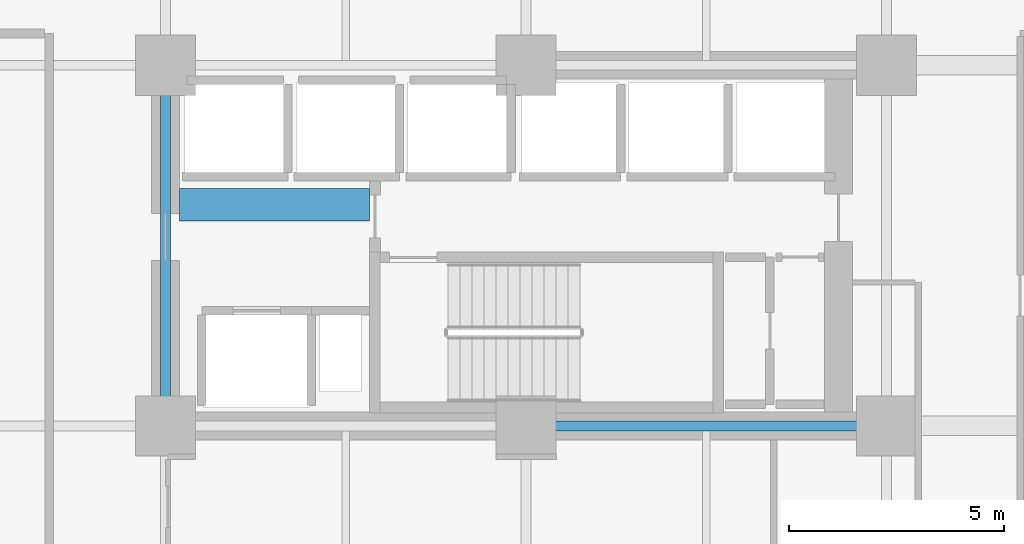
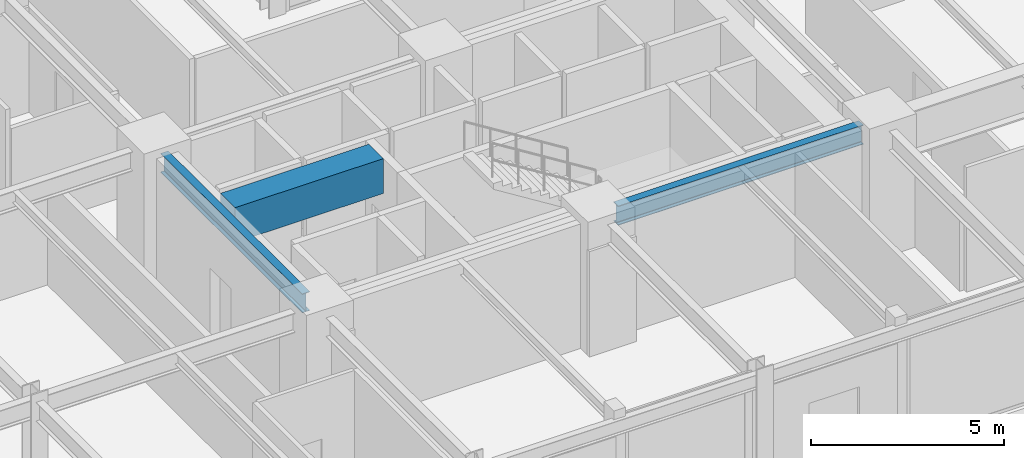
# One storey, part 5 of 25: 3 beams.
"""IFC4 building model written with IfcOpenShell, lengths in metres."""

from ifc_helpers import new_model, si_unit, direction, frame, origin, origin_2d, place, context, subcontext, project, spatial, rectangle, i_section, extrude, material, material_profile, profile_set, type_object, element, save


model = new_model("IFC4")

# Units and contexts
model_context = context("Model", 3, precision=1e-05, world=origin(), true_north=direction((0.0, 1.0)))
body_context = subcontext(model_context, "Body", "Model", "MODEL_VIEW")
ifc_project = project(units=[si_unit("LENGTHUNIT", "METRE"), si_unit("AREAUNIT", "SQUARE_METRE"), si_unit("VOLUMEUNIT", "CUBIC_METRE"), si_unit("PLANEANGLEUNIT", "RADIAN"), si_unit("MASSUNIT", "GRAM", prefix="KILO")], contexts=[model_context])

# Site, building, storey
site_placement = place(None, origin())
site = spatial("IfcSite", under=ifc_project, at=site_placement, CompositionType="ELEMENT")
building_placement = place(site_placement, origin())
building = spatial("IfcBuilding", under=site, at=building_placement, Name="Nerrivon Quay Data Exchange", CompositionType="ELEMENT")
storey_placement = place(building_placement, frame((0.0, 0.0, 58.39990234375)))
storey = spatial("IfcBuildingStorey", under=building, at=storey_placement, Name="L13", CompositionType="ELEMENT", Elevation=58.39990234375)

# Beams
ifc_material_1 = material(Name="Concrete S65 (65 MPa)", Category="concrete")
ifc_material_profile_1 = material_profile(ifc_material_1, rectangle(XDim=0.75, YDim=1.10009765625, at=origin_2d()), Name="RC-CB-750x1100")
ifc_profile_set_1 = profile_set([ifc_material_profile_1], Name="Concrete S65 (65 MPa)")
beam_type_1 = type_object("IfcBeamType", Name="BM-CB1-750x1100", PredefinedType="LINTEL", material=ifc_profile_set_1)
beam_1_placement = place(storey_placement, frame((17.125, 13.550048828125, 3.375), z_axis=(1.0, 0.0, 0.0), x_axis=(0.0, 1.0, 0.0)))
element("IfcBeam", 1, at=beam_1_placement, inside=storey, type_object=beam_type_1, Name="L13 East Core Coupling Beam", PredefinedType="LINTEL", context=body_context, shape_type="SweptSolid", body=[
    extrude(rectangle(XDim=0.75, YDim=1.10009765625, at=origin_2d()), origin(), (0.0, 0.0, 1.0), 4.429931640625),
])
ifc_material_2 = material(Name="Steel Grade 350", Category="steel")
ifc_material_profile_2 = material_profile(ifc_material_2, i_section(OverallWidth=0.22900390625, OverallDepth=0.612060546875, WebThickness=0.011962890625, FlangeThickness=0.01953125, FilletRadius=0.013916015625, at=origin_2d()), Name="610UB125")
ifc_profile_set_2 = profile_set([ifc_material_profile_2], Name="Steel Grade 350")
beam_type_2 = type_object("IfcBeamType", Name="BM-G1-610UB125", PredefinedType="BEAM", material=ifc_profile_set_2)
beam_2_placement = place(storey_placement, frame((25.739990234375, 8.39990234375, 3.619140625), z_axis=(1.0, 0.0, 0.0), x_axis=(0.0, 1.0, 0.0)))
element("IfcBeam", 2, at=beam_2_placement, inside=storey, type_object=beam_type_2, Name="L13 EW Girder Y=8.4 (25.2..33.6)", PredefinedType="BEAM", context=body_context, shape_type="SweptSolid", body=[
    extrude(i_section(OverallWidth=0.22900390625, OverallDepth=0.612060546875, WebThickness=0.011962890625, FlangeThickness=0.01953125, FilletRadius=0.013916015625, at=origin_2d()), origin(), (0.0, 0.0, 1.0), 7.320068359375),
])
ifc_material_profile_3 = material_profile(ifc_material_2, i_section(OverallWidth=0.22802734375, OverallDepth=0.60205078125, WebThickness=0.010498046875, FlangeThickness=0.014892578125, FilletRadius=0.013916015625, at=origin_2d()), Name="610UB101")
ifc_profile_set_3 = profile_set([ifc_material_profile_3], Name="Steel Grade 350")
beam_type_3 = type_object("IfcBeamType", Name="BM-G2-610UB101", PredefinedType="BEAM", material=ifc_profile_set_3)
beam_3_placement = place(storey_placement, frame((16.800048828125, 8.93994140625, 3.6240234375), z_axis=(0.0, 1.0, 0.0), x_axis=(-1.0, 0.0, 0.0)))
element("IfcBeam", 3, at=beam_3_placement, inside=storey, type_object=beam_type_3, Name="L13 NS Girder X=16.8 (8.4..16.8)", PredefinedType="BEAM", context=body_context, shape_type="SweptSolid", body=[
    extrude(i_section(OverallWidth=0.22802734375, OverallDepth=0.60205078125, WebThickness=0.010498046875, FlangeThickness=0.014892578125, FilletRadius=0.013916015625, at=origin_2d()), origin(), (0.0, 0.0, 1.0), 7.320068359375),
])

save(model, "model.ifc")
